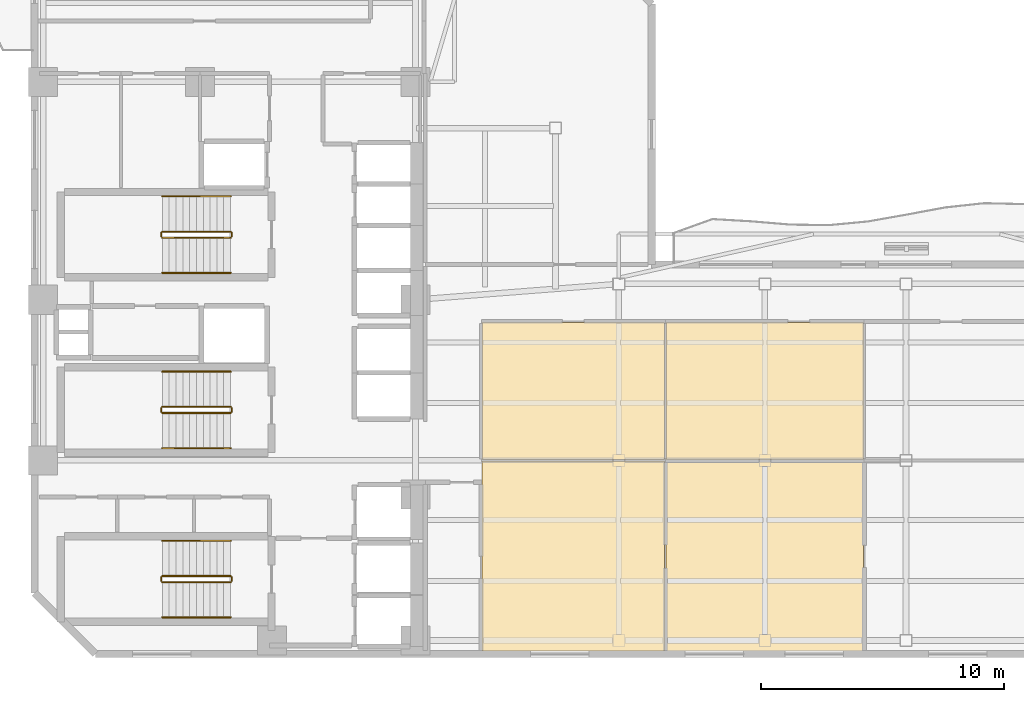
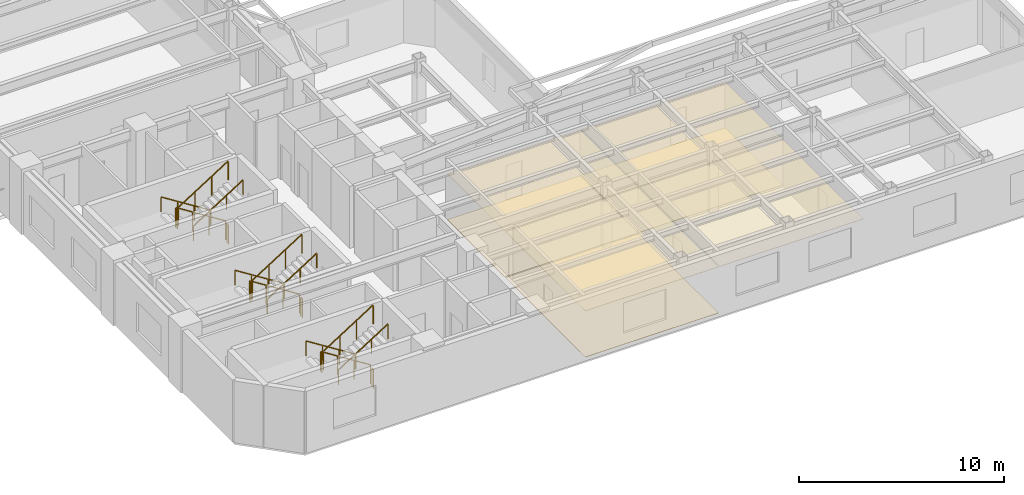
# One storey, part 7 of 9: 18 railings, 7 coverings.
"""IFC4 building model written with IfcOpenShell, lengths in metres."""

from ifc_helpers import new_model, si_unit, direction, frame, origin, origin_2d, place, context, subcontext, project, spatial, polyline, rectangle, outline, extrude, material, layer, layer_set, type_object, element, save


model = new_model("IFC4")

# Units and contexts
model_context = context("Model", 3, precision=1e-05, world=origin(), true_north=direction((0.0, 1.0)))
body_context = subcontext(model_context, "Body", "Model", "MODEL_VIEW")
ifc_project = project(units=[si_unit("LENGTHUNIT", "METRE"), si_unit("AREAUNIT", "SQUARE_METRE"), si_unit("VOLUMEUNIT", "CUBIC_METRE"), si_unit("PLANEANGLEUNIT", "RADIAN"), si_unit("MASSUNIT", "GRAM", prefix="KILO")], contexts=[model_context])

# Site, building, storey
site_placement = place(None, origin())
site = spatial("IfcSite", under=ifc_project, at=site_placement, CompositionType="ELEMENT")
building_placement = place(site_placement, origin())
building = spatial("IfcBuilding", under=site, at=building_placement, Name="Mawjaban Terraces University", CompositionType="ELEMENT")
storey_placement = place(building_placement, frame((0.0, 0.0, 130.699951171875)))
storey = spatial("IfcBuildingStorey", under=building, at=storey_placement, Name="L31", CompositionType="ELEMENT", Elevation=130.699951171875)

# Coverings
ifc_material_1 = material(Name="Acoustic mineral fibre ceiling tile", Category="masonry")
ifc_layer_1 = layer(ifc_material_1, 0.02001953125)
ifc_layer_set_1 = layer_set([ifc_layer_1], Name="Acoustic mineral fibre ceiling tile")
covering_type_1 = type_object("IfcCoveringType", Name="AcousticMineralCeiling_20", PredefinedType="CEILING", material=ifc_layer_set_1)
covering_1_placement = place(storey_placement, frame((0.0, 0.0, 2.75)))
element("IfcCovering", 1, at=covering_1_placement, inside=storey, type_object=covering_type_1, Name="L31 Quiet Reading Room 2 Acoustic Ceiling", PredefinedType="CEILING", context=body_context, shape_type="SweptSolid", body=[
    extrude(outline(polyline([(40.3798828125, 0.114990234375), (47.883056640625, 0.114990234375), (47.883056640625, 7.919921875), (40.3798828125, 7.919921875), (40.3798828125, 0.114990234375)])), origin(), (0.0, 0.0, 1.0), 0.02001953125),
])
covering_2_placement = place(storey_placement, frame((0.0, 0.0, 2.75)))
element("IfcCovering", 2, at=covering_2_placement, inside=storey, type_object=covering_type_1, Name="L31 Reading Salon 3 Acoustic Ceiling", PredefinedType="CEILING", context=body_context, shape_type="SweptSolid", body=[
    extrude(outline(polyline([(47.883056640625, 7.97998046875), (47.883056640625, 13.6201171875), (40.3798828125, 13.6201171875), (40.3798828125, 7.97998046875), (47.883056640625, 7.97998046875)])), origin(), (0.0, 0.0, 1.0), 0.02001953125),
])
covering_3_placement = place(storey_placement, frame((0.0, 0.0, 2.75)))
element("IfcCovering", 3, at=covering_3_placement, inside=storey, type_object=covering_type_1, Name="L31 Media Workshop 4 Acoustic Ceiling", PredefinedType="CEILING", context=body_context, shape_type="SweptSolid", body=[
    extrude(outline(polyline([(47.943115234375, 0.114990234375), (56.050048828125, 0.114990234375), (56.050048828125, 7.919921875), (47.943115234375, 7.919921875), (47.943115234375, 0.114990234375)])), origin(), (0.0, 0.0, 1.0), 0.02001953125),
])
covering_4_placement = place(storey_placement, frame((0.0, 0.0, 2.75)))
element("IfcCovering", 4, at=covering_4_placement, inside=storey, type_object=covering_type_1, Name="L31 Quiet Reading Room 5 Acoustic Ceiling", PredefinedType="CEILING", context=body_context, shape_type="SweptSolid", body=[
    extrude(outline(polyline([(56.050048828125, 7.97998046875), (56.050048828125, 13.6201171875), (47.943115234375, 13.6201171875), (47.943115234375, 7.97998046875), (56.050048828125, 7.97998046875)])), origin(), (0.0, 0.0, 1.0), 0.02001953125),
])

# Railings
ifc_material_2 = material(Name="Brushed stainless steel 316", Category="steel")
railing_type_1 = type_object("IfcRailingType", Name="StairWallHandrail_900", PredefinedType="HANDRAIL", material=ifc_material_2)
railing_1_placement = place(storey_placement, frame((30.050048828125, 4.64990234375, 0.17724609375)))
element("IfcRailing", 5, at=railing_1_placement, inside=storey, type_object=railing_type_1, Name="L31 ST-1 stair handrail 1", PredefinedType="HANDRAIL", context=body_context, shape_type="SweptSolid", body=[
    extrude(rectangle(XDim=0.048095703125, YDim=0.048095703125, at=origin_2d()), frame((0.0, 0.0, 0.8759765625), z_axis=(-0.844908973607, 0.0, 0.534910110503), x_axis=(0.0, -1.0, 0.0)), (0.0, 0.0, 1.0), 3.31396484375),
    extrude(rectangle(XDim=0.0419921875, YDim=0.0419921875, at=origin_2d()), origin(), (0.0, 0.0, 1.0), 0.851806640625),
    extrude(rectangle(XDim=0.0419921875, YDim=0.0419921875, at=origin_2d()), frame((-0.933349609375, 0.0, 0.5908203125)), (0.0, 0.0, 1.0), 0.851806640625),
    extrude(rectangle(XDim=0.0419921875, YDim=0.0419921875, at=origin_2d()), frame((-1.86669921875, 0.0, 1.181884765625)), (0.0, 0.0, 1.0), 0.851806640625),
    extrude(rectangle(XDim=0.0419921875, YDim=0.0419921875, at=origin_2d()), frame((-2.800048828125, 0.0, 1.772705078125)), (0.0, 0.0, 1.0), 0.851806640625),
])
railing_2_placement = place(storey_placement, frame((27.25, 1.5, 2.12744140625)))
element("IfcRailing", 6, at=railing_2_placement, inside=storey, type_object=railing_type_1, Name="L31 ST-1 stair handrail 2", PredefinedType="HANDRAIL", context=body_context, shape_type="SweptSolid", body=[
    extrude(rectangle(XDim=0.048095703125, YDim=0.048095703125, at=origin_2d()), frame((0.0, 0.0, 0.8759765625), z_axis=(0.844908973607, 0.0, 0.534910110503), x_axis=(0.0, 1.0, 0.0)), (0.0, 0.0, 1.0), 3.31396484375),
    extrude(rectangle(XDim=0.0419921875, YDim=0.0419921875, at=origin_2d()), origin(), (0.0, 0.0, 1.0), 0.851806640625),
    extrude(rectangle(XDim=0.0419921875, YDim=0.0419921875, at=origin_2d()), frame((0.933349609375, 0.0, 0.5908203125)), (0.0, 0.0, 1.0), 0.851806640625),
    extrude(rectangle(XDim=0.0419921875, YDim=0.0419921875, at=origin_2d()), frame((1.86669921875, 0.0, 1.181884765625)), (0.0, 0.0, 1.0), 0.851806640625),
    extrude(rectangle(XDim=0.0419921875, YDim=0.0419921875, at=origin_2d()), frame((2.800048828125, 0.0, 1.772705078125)), (0.0, 0.0, 1.0), 0.851806640625),
])
railing_3_placement = place(storey_placement, frame((30.050048828125, 18.800048828125, 0.17724609375)))
element("IfcRailing", 7, at=railing_3_placement, inside=storey, type_object=railing_type_1, Name="L31 ST-2 stair handrail 1", PredefinedType="HANDRAIL", context=body_context, shape_type="SweptSolid", body=[
    extrude(rectangle(XDim=0.048095703125, YDim=0.048095703125, at=origin_2d()), frame((0.0, 0.0, 0.8759765625), z_axis=(-0.844908973607, 0.0, 0.534910110503), x_axis=(0.0, -1.0, 0.0)), (0.0, 0.0, 1.0), 3.31396484375),
    extrude(rectangle(XDim=0.0419921875, YDim=0.0419921875, at=origin_2d()), origin(), (0.0, 0.0, 1.0), 0.851806640625),
    extrude(rectangle(XDim=0.0419921875, YDim=0.0419921875, at=origin_2d()), frame((-0.933349609375, 0.0, 0.5908203125)), (0.0, 0.0, 1.0), 0.851806640625),
    extrude(rectangle(XDim=0.0419921875, YDim=0.0419921875, at=origin_2d()), frame((-1.86669921875, 0.0, 1.181884765625)), (0.0, 0.0, 1.0), 0.851806640625),
    extrude(rectangle(XDim=0.0419921875, YDim=0.0419921875, at=origin_2d()), frame((-2.800048828125, 0.0, 1.772705078125)), (0.0, 0.0, 1.0), 0.851806640625),
])
railing_4_placement = place(storey_placement, frame((27.25, 15.64990234375, 2.12744140625)))
element("IfcRailing", 8, at=railing_4_placement, inside=storey, type_object=railing_type_1, Name="L31 ST-2 stair handrail 2", PredefinedType="HANDRAIL", context=body_context, shape_type="SweptSolid", body=[
    extrude(rectangle(XDim=0.048095703125, YDim=0.048095703125, at=origin_2d()), frame((0.0, 0.0, 0.8759765625), z_axis=(0.844908973607, 0.0, 0.534910110503), x_axis=(0.0, 1.0, 0.0)), (0.0, 0.0, 1.0), 3.31396484375),
    extrude(rectangle(XDim=0.0419921875, YDim=0.0419921875, at=origin_2d()), origin(), (0.0, 0.0, 1.0), 0.851806640625),
    extrude(rectangle(XDim=0.0419921875, YDim=0.0419921875, at=origin_2d()), frame((0.933349609375, 0.0, 0.5908203125)), (0.0, 0.0, 1.0), 0.851806640625),
    extrude(rectangle(XDim=0.0419921875, YDim=0.0419921875, at=origin_2d()), frame((1.86669921875, 0.0, 1.181884765625)), (0.0, 0.0, 1.0), 0.851806640625),
    extrude(rectangle(XDim=0.0419921875, YDim=0.0419921875, at=origin_2d()), frame((2.800048828125, 0.0, 1.772705078125)), (0.0, 0.0, 1.0), 0.851806640625),
])
railing_5_placement = place(storey_placement, frame((30.050048828125, 11.60009765625, 0.17724609375)))
element("IfcRailing", 9, at=railing_5_placement, inside=storey, type_object=railing_type_1, Name="L31 ST-3 stair handrail 1", PredefinedType="HANDRAIL", context=body_context, shape_type="SweptSolid", body=[
    extrude(rectangle(XDim=0.048095703125, YDim=0.048095703125, at=origin_2d()), frame((0.0, 0.0, 0.8759765625), z_axis=(-0.844908973607, 0.0, 0.534910110503), x_axis=(0.0, -1.0, 0.0)), (0.0, 0.0, 1.0), 3.31396484375),
    extrude(rectangle(XDim=0.0419921875, YDim=0.0419921875, at=origin_2d()), origin(), (0.0, 0.0, 1.0), 0.851806640625),
    extrude(rectangle(XDim=0.0419921875, YDim=0.0419921875, at=origin_2d()), frame((-0.933349609375, 0.0, 0.5908203125)), (0.0, 0.0, 1.0), 0.851806640625),
    extrude(rectangle(XDim=0.0419921875, YDim=0.0419921875, at=origin_2d()), frame((-1.86669921875, 0.0, 1.181884765625)), (0.0, 0.0, 1.0), 0.851806640625),
    extrude(rectangle(XDim=0.0419921875, YDim=0.0419921875, at=origin_2d()), frame((-2.800048828125, 0.0, 1.772705078125)), (0.0, 0.0, 1.0), 0.851806640625),
])
railing_6_placement = place(storey_placement, frame((27.25, 8.449951171875, 2.12744140625)))
element("IfcRailing", 10, at=railing_6_placement, inside=storey, type_object=railing_type_1, Name="L31 ST-3 stair handrail 2", PredefinedType="HANDRAIL", context=body_context, shape_type="SweptSolid", body=[
    extrude(rectangle(XDim=0.048095703125, YDim=0.048095703125, at=origin_2d()), frame((0.0, 0.0, 0.8759765625), z_axis=(0.844908973607, 0.0, 0.534910110503), x_axis=(0.0, 1.0, 0.0)), (0.0, 0.0, 1.0), 3.31396484375),
    extrude(rectangle(XDim=0.0419921875, YDim=0.0419921875, at=origin_2d()), origin(), (0.0, 0.0, 1.0), 0.851806640625),
    extrude(rectangle(XDim=0.0419921875, YDim=0.0419921875, at=origin_2d()), frame((0.933349609375, 0.0, 0.5908203125)), (0.0, 0.0, 1.0), 0.851806640625),
    extrude(rectangle(XDim=0.0419921875, YDim=0.0419921875, at=origin_2d()), frame((1.86669921875, 0.0, 1.181884765625)), (0.0, 0.0, 1.0), 0.851806640625),
    extrude(rectangle(XDim=0.0419921875, YDim=0.0419921875, at=origin_2d()), frame((2.800048828125, 0.0, 1.772705078125)), (0.0, 0.0, 1.0), 0.851806640625),
])
ifc_material_3 = material(Name="Galvanised painted steel S355", Category="steel")
railing_type_2 = type_object("IfcRailingType", Name="StairWellGuard_1150", PredefinedType="BALUSTRADE", material=ifc_material_3)
railing_7_placement = place(storey_placement, frame((30.050048828125, 3.199951171875, 0.17724609375)))
element("IfcRailing", 11, at=railing_7_placement, inside=storey, type_object=railing_type_2, Name="L31 ST-1 stair guard 1", PredefinedType="BALUSTRADE", context=body_context, shape_type="SweptSolid", body=[
    extrude(rectangle(XDim=0.048095703125, YDim=0.048095703125, at=origin_2d()), frame((0.0, 0.0, 1.1259765625), z_axis=(-0.844908973607, 0.0, 0.534910110503), x_axis=(0.0, -1.0, 0.0)), (0.0, 0.0, 1.0), 3.31396484375),
    extrude(rectangle(XDim=0.0419921875, YDim=0.0419921875, at=origin_2d()), origin(), (0.0, 0.0, 1.0), 1.101806640625),
    extrude(rectangle(XDim=0.0419921875, YDim=0.0419921875, at=origin_2d()), frame((-0.933349609375, 0.0, 0.5908203125)), (0.0, 0.0, 1.0), 1.101806640625),
    extrude(rectangle(XDim=0.0419921875, YDim=0.0419921875, at=origin_2d()), frame((-1.86669921875, 0.0, 1.181884765625)), (0.0, 0.0, 1.0), 1.101806640625),
    extrude(rectangle(XDim=0.0419921875, YDim=0.0419921875, at=origin_2d()), frame((-2.800048828125, 0.0, 1.772705078125)), (0.0, 0.0, 1.0), 1.101806640625),
])
railing_8_placement = place(storey_placement, frame((27.199951171875, 3.14990234375, 1.949951171875)))
element("IfcRailing", 12, at=railing_8_placement, inside=storey, type_object=railing_type_2, Name="L31 ST-1 stair guard 2", PredefinedType="BALUSTRADE", context=body_context, shape_type="SweptSolid", body=[
    extrude(rectangle(XDim=0.048095703125, YDim=0.048095703125, at=origin_2d()), frame((0.0, 0.0, 1.1259765625), z_axis=(0.0, -1.0, 0.0), x_axis=(1.0, 0.0, 0.0)), (0.0, 0.0, 1.0), 0.14990234375),
    extrude(rectangle(XDim=0.0419921875, YDim=0.0419921875, at=origin_2d()), origin(), (0.0, 0.0, 1.0), 1.101806640625),
    extrude(rectangle(XDim=0.0419921875, YDim=0.0419921875, at=origin_2d()), frame((0.0, -0.14990234375, 0.0)), (0.0, 0.0, 1.0), 1.101806640625),
])
railing_9_placement = place(storey_placement, frame((27.25, 2.949951171875, 2.12744140625)))
element("IfcRailing", 13, at=railing_9_placement, inside=storey, type_object=railing_type_2, Name="L31 ST-1 stair guard 3", PredefinedType="BALUSTRADE", context=body_context, shape_type="SweptSolid", body=[
    extrude(rectangle(XDim=0.048095703125, YDim=0.048095703125, at=origin_2d()), frame((0.0, 0.0, 1.1259765625), z_axis=(0.844908973607, 0.0, 0.534910110503), x_axis=(0.0, 1.0, 0.0)), (0.0, 0.0, 1.0), 3.31396484375),
    extrude(rectangle(XDim=0.0419921875, YDim=0.0419921875, at=origin_2d()), origin(), (0.0, 0.0, 1.0), 1.101806640625),
    extrude(rectangle(XDim=0.0419921875, YDim=0.0419921875, at=origin_2d()), frame((0.933349609375, 0.0, 0.5908203125)), (0.0, 0.0, 1.0), 1.101806640625),
    extrude(rectangle(XDim=0.0419921875, YDim=0.0419921875, at=origin_2d()), frame((1.86669921875, 0.0, 1.181884765625)), (0.0, 0.0, 1.0), 1.101806640625),
    extrude(rectangle(XDim=0.0419921875, YDim=0.0419921875, at=origin_2d()), frame((2.800048828125, 0.0, 1.772705078125)), (0.0, 0.0, 1.0), 1.101806640625),
])
railing_10_placement = place(storey_placement, frame((30.10009765625, 3.14990234375, 0.0)))
element("IfcRailing", 14, at=railing_10_placement, inside=storey, type_object=railing_type_2, Name="L31 ST-1 stair guard 4", PredefinedType="BALUSTRADE", context=body_context, shape_type="SweptSolid", body=[
    extrude(rectangle(XDim=0.048095703125, YDim=0.048095703125, at=origin_2d()), frame((0.0, 0.0, 1.1259765625), z_axis=(0.0, -1.0, 0.0), x_axis=(1.0, 0.0, 0.0)), (0.0, 0.0, 1.0), 0.14990234375),
    extrude(rectangle(XDim=0.0419921875, YDim=0.0419921875, at=origin_2d()), origin(), (0.0, 0.0, 1.0), 1.101806640625),
    extrude(rectangle(XDim=0.0419921875, YDim=0.0419921875, at=origin_2d()), frame((0.0, -0.14990234375, 0.0)), (0.0, 0.0, 1.0), 1.101806640625),
])
railing_11_placement = place(storey_placement, frame((30.050048828125, 17.35009765625, 0.17724609375)))
element("IfcRailing", 15, at=railing_11_placement, inside=storey, type_object=railing_type_2, Name="L31 ST-2 stair guard 1", PredefinedType="BALUSTRADE", context=body_context, shape_type="SweptSolid", body=[
    extrude(rectangle(XDim=0.048095703125, YDim=0.048095703125, at=origin_2d()), frame((0.0, 0.0, 1.1259765625), z_axis=(-0.844908973607, 0.0, 0.534910110503), x_axis=(0.0, -1.0, 0.0)), (0.0, 0.0, 1.0), 3.31396484375),
    extrude(rectangle(XDim=0.0419921875, YDim=0.0419921875, at=origin_2d()), origin(), (0.0, 0.0, 1.0), 1.101806640625),
    extrude(rectangle(XDim=0.0419921875, YDim=0.0419921875, at=origin_2d()), frame((-0.933349609375, 0.0, 0.5908203125)), (0.0, 0.0, 1.0), 1.101806640625),
    extrude(rectangle(XDim=0.0419921875, YDim=0.0419921875, at=origin_2d()), frame((-1.86669921875, 0.0, 1.181884765625)), (0.0, 0.0, 1.0), 1.101806640625),
    extrude(rectangle(XDim=0.0419921875, YDim=0.0419921875, at=origin_2d()), frame((-2.800048828125, 0.0, 1.772705078125)), (0.0, 0.0, 1.0), 1.101806640625),
])
railing_12_placement = place(storey_placement, frame((27.199951171875, 17.300048828125, 1.949951171875)))
element("IfcRailing", 16, at=railing_12_placement, inside=storey, type_object=railing_type_2, Name="L31 ST-2 stair guard 2", PredefinedType="BALUSTRADE", context=body_context, shape_type="SweptSolid", body=[
    extrude(rectangle(XDim=0.048095703125, YDim=0.048095703125, at=origin_2d()), frame((0.0, 0.0, 1.1259765625), z_axis=(0.0, -1.0, 0.0), x_axis=(1.0, 0.0, 0.0)), (0.0, 0.0, 1.0), 0.150146484375),
    extrude(rectangle(XDim=0.0419921875, YDim=0.0419921875, at=origin_2d()), origin(), (0.0, 0.0, 1.0), 1.101806640625),
    extrude(rectangle(XDim=0.0419921875, YDim=0.0419921875, at=origin_2d()), frame((0.0, -0.150146484375, 0.0)), (0.0, 0.0, 1.0), 1.101806640625),
])
railing_13_placement = place(storey_placement, frame((27.25, 17.10009765625, 2.12744140625)))
element("IfcRailing", 17, at=railing_13_placement, inside=storey, type_object=railing_type_2, Name="L31 ST-2 stair guard 3", PredefinedType="BALUSTRADE", context=body_context, shape_type="SweptSolid", body=[
    extrude(rectangle(XDim=0.048095703125, YDim=0.048095703125, at=origin_2d()), frame((0.0, 0.0, 1.1259765625), z_axis=(0.844908973607, 0.0, 0.534910110503), x_axis=(0.0, 1.0, 0.0)), (0.0, 0.0, 1.0), 3.31396484375),
    extrude(rectangle(XDim=0.0419921875, YDim=0.0419921875, at=origin_2d()), origin(), (0.0, 0.0, 1.0), 1.101806640625),
    extrude(rectangle(XDim=0.0419921875, YDim=0.0419921875, at=origin_2d()), frame((0.933349609375, 0.0, 0.5908203125)), (0.0, 0.0, 1.0), 1.101806640625),
    extrude(rectangle(XDim=0.0419921875, YDim=0.0419921875, at=origin_2d()), frame((1.86669921875, 0.0, 1.181884765625)), (0.0, 0.0, 1.0), 1.101806640625),
    extrude(rectangle(XDim=0.0419921875, YDim=0.0419921875, at=origin_2d()), frame((2.800048828125, 0.0, 1.772705078125)), (0.0, 0.0, 1.0), 1.101806640625),
])
railing_14_placement = place(storey_placement, frame((30.10009765625, 17.300048828125, 0.0)))
element("IfcRailing", 18, at=railing_14_placement, inside=storey, type_object=railing_type_2, Name="L31 ST-2 stair guard 4", PredefinedType="BALUSTRADE", context=body_context, shape_type="SweptSolid", body=[
    extrude(rectangle(XDim=0.048095703125, YDim=0.048095703125, at=origin_2d()), frame((0.0, 0.0, 1.1259765625), z_axis=(0.0, -1.0, 0.0), x_axis=(1.0, 0.0, 0.0)), (0.0, 0.0, 1.0), 0.150146484375),
    extrude(rectangle(XDim=0.0419921875, YDim=0.0419921875, at=origin_2d()), origin(), (0.0, 0.0, 1.0), 1.101806640625),
    extrude(rectangle(XDim=0.0419921875, YDim=0.0419921875, at=origin_2d()), frame((0.0, -0.150146484375, 0.0)), (0.0, 0.0, 1.0), 1.101806640625),
])
railing_15_placement = place(storey_placement, frame((30.050048828125, 10.14990234375, 0.17724609375)))
element("IfcRailing", 19, at=railing_15_placement, inside=storey, type_object=railing_type_2, Name="L31 ST-3 stair guard 1", PredefinedType="BALUSTRADE", context=body_context, shape_type="SweptSolid", body=[
    extrude(rectangle(XDim=0.048095703125, YDim=0.048095703125, at=origin_2d()), frame((0.0, 0.0, 1.1259765625), z_axis=(-0.844908973607, 0.0, 0.534910110503), x_axis=(0.0, -1.0, 0.0)), (0.0, 0.0, 1.0), 3.31396484375),
    extrude(rectangle(XDim=0.0419921875, YDim=0.0419921875, at=origin_2d()), origin(), (0.0, 0.0, 1.0), 1.101806640625),
    extrude(rectangle(XDim=0.0419921875, YDim=0.0419921875, at=origin_2d()), frame((-0.933349609375, 0.0, 0.5908203125)), (0.0, 0.0, 1.0), 1.101806640625),
    extrude(rectangle(XDim=0.0419921875, YDim=0.0419921875, at=origin_2d()), frame((-1.86669921875, 0.0, 1.181884765625)), (0.0, 0.0, 1.0), 1.101806640625),
    extrude(rectangle(XDim=0.0419921875, YDim=0.0419921875, at=origin_2d()), frame((-2.800048828125, 0.0, 1.772705078125)), (0.0, 0.0, 1.0), 1.101806640625),
])
railing_16_placement = place(storey_placement, frame((27.199951171875, 10.10009765625, 1.949951171875)))
element("IfcRailing", 20, at=railing_16_placement, inside=storey, type_object=railing_type_2, Name="L31 ST-3 stair guard 2", PredefinedType="BALUSTRADE", context=body_context, shape_type="SweptSolid", body=[
    extrude(rectangle(XDim=0.048095703125, YDim=0.048095703125, at=origin_2d()), frame((0.0, 0.0, 1.1259765625), z_axis=(0.0, -1.0, 0.0), x_axis=(1.0, 0.0, 0.0)), (0.0, 0.0, 1.0), 0.150146484375),
    extrude(rectangle(XDim=0.0419921875, YDim=0.0419921875, at=origin_2d()), origin(), (0.0, 0.0, 1.0), 1.101806640625),
    extrude(rectangle(XDim=0.0419921875, YDim=0.0419921875, at=origin_2d()), frame((0.0, -0.150146484375, 0.0)), (0.0, 0.0, 1.0), 1.101806640625),
])
railing_17_placement = place(storey_placement, frame((27.25, 9.89990234375, 2.12744140625)))
element("IfcRailing", 21, at=railing_17_placement, inside=storey, type_object=railing_type_2, Name="L31 ST-3 stair guard 3", PredefinedType="BALUSTRADE", context=body_context, shape_type="SweptSolid", body=[
    extrude(rectangle(XDim=0.048095703125, YDim=0.048095703125, at=origin_2d()), frame((0.0, 0.0, 1.1259765625), z_axis=(0.844908973607, 0.0, 0.534910110503), x_axis=(0.0, 1.0, 0.0)), (0.0, 0.0, 1.0), 3.31396484375),
    extrude(rectangle(XDim=0.0419921875, YDim=0.0419921875, at=origin_2d()), origin(), (0.0, 0.0, 1.0), 1.101806640625),
    extrude(rectangle(XDim=0.0419921875, YDim=0.0419921875, at=origin_2d()), frame((0.933349609375, 0.0, 0.5908203125)), (0.0, 0.0, 1.0), 1.101806640625),
    extrude(rectangle(XDim=0.0419921875, YDim=0.0419921875, at=origin_2d()), frame((1.86669921875, 0.0, 1.181884765625)), (0.0, 0.0, 1.0), 1.101806640625),
    extrude(rectangle(XDim=0.0419921875, YDim=0.0419921875, at=origin_2d()), frame((2.800048828125, 0.0, 1.772705078125)), (0.0, 0.0, 1.0), 1.101806640625),
])
railing_18_placement = place(storey_placement, frame((30.10009765625, 10.10009765625, 0.0)))
element("IfcRailing", 22, at=railing_18_placement, inside=storey, type_object=railing_type_2, Name="L31 ST-3 stair guard 4", PredefinedType="BALUSTRADE", context=body_context, shape_type="SweptSolid", body=[
    extrude(rectangle(XDim=0.048095703125, YDim=0.048095703125, at=origin_2d()), frame((0.0, 0.0, 1.1259765625), z_axis=(0.0, -1.0, 0.0), x_axis=(1.0, 0.0, 0.0)), (0.0, 0.0, 1.0), 0.150146484375),
    extrude(rectangle(XDim=0.0419921875, YDim=0.0419921875, at=origin_2d()), origin(), (0.0, 0.0, 1.0), 1.101806640625),
    extrude(rectangle(XDim=0.0419921875, YDim=0.0419921875, at=origin_2d()), frame((0.0, -0.150146484375, 0.0)), (0.0, 0.0, 1.0), 1.101806640625),
])

# Coverings
ifc_material_4 = material(Name="Polished Hijazi granite terrazzo flooring", Category="masonry")
ifc_layer_2 = layer(ifc_material_4, 0.02490234375)
ifc_layer_set_2 = layer_set([ifc_layer_2], Name="Polished Hijazi granite terrazzo flooring")
covering_type_2 = type_object("IfcCoveringType", Name="TerrazzoConcourseFlooring_25", PredefinedType="FLOORING", material=ifc_layer_set_2)
covering_5_placement = place(storey_placement, origin())
element("IfcCovering", 23, at=covering_5_placement, inside=storey, type_object=covering_type_2, Name="L31 Quiet Reading Room 2 Terrazzo Flooring", PredefinedType="FLOORING", context=body_context, shape_type="SweptSolid", body=[
    extrude(outline(polyline([(40.3798828125, 0.114990234375), (47.883056640625, 0.114990234375), (47.883056640625, 7.919921875), (40.3798828125, 7.919921875), (40.3798828125, 0.114990234375)])), origin(), (0.0, 0.0, 1.0), 0.025146484375),
])
covering_6_placement = place(storey_placement, origin())
element("IfcCovering", 24, at=covering_6_placement, inside=storey, type_object=covering_type_2, Name="L31 Reading Salon 3 Terrazzo Flooring", PredefinedType="FLOORING", context=body_context, shape_type="SweptSolid", body=[
    extrude(outline(polyline([(47.883056640625, 7.97998046875), (47.883056640625, 13.6201171875), (40.3798828125, 13.6201171875), (40.3798828125, 7.97998046875), (47.883056640625, 7.97998046875)])), origin(), (0.0, 0.0, 1.0), 0.025146484375),
])
covering_7_placement = place(storey_placement, origin())
element("IfcCovering", 25, at=covering_7_placement, inside=storey, type_object=covering_type_2, Name="L31 Quiet Reading Room 5 Terrazzo Flooring", PredefinedType="FLOORING", context=body_context, shape_type="SweptSolid", body=[
    extrude(outline(polyline([(56.050048828125, 7.97998046875), (56.050048828125, 13.6201171875), (47.943115234375, 13.6201171875), (47.943115234375, 7.97998046875), (56.050048828125, 7.97998046875)])), origin(), (0.0, 0.0, 1.0), 0.025146484375),
])

save(model, "model.ifc")
